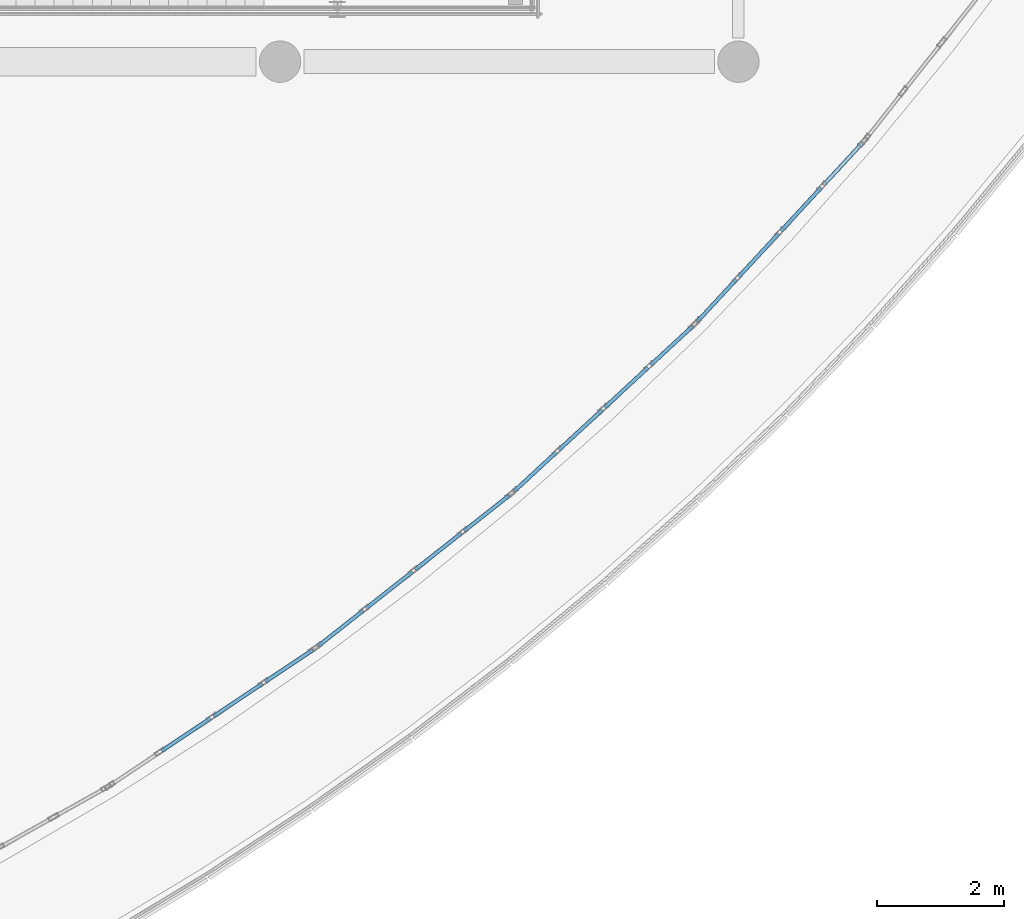
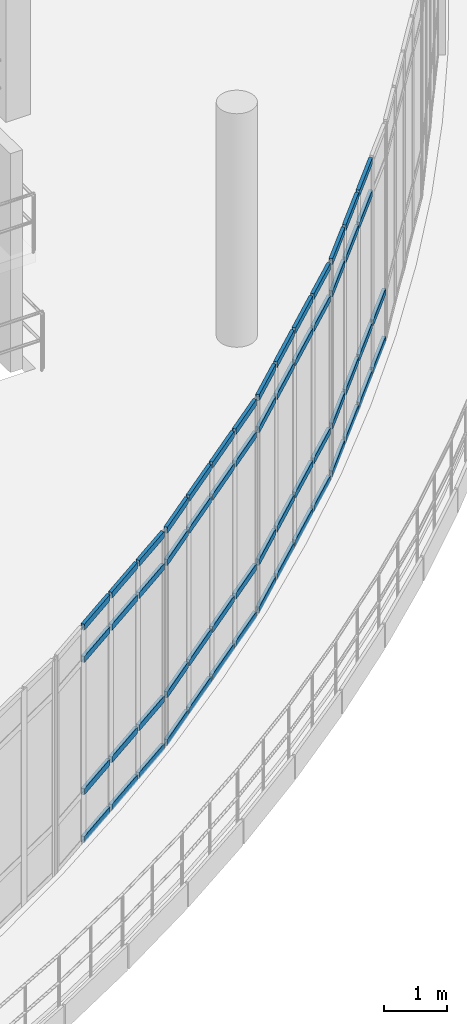
# One storey, part 89 of 134: 58 members, 4 elements without a shape of their own.
"""IFC4 building model written with IfcOpenShell, lengths in metres."""

import ifcopenshell
import ifcopenshell.guid

model = None  # the IFC model being written
_history = None  # IfcOwnerHistory: only IFC2X3 demands one
_inside = {}  # id of a spatial element -> (the spatial element, [elements in it])
_under = {}  # id of a project, library or spatial element -> (it, [spatial elements below it])
_declared = {}  # id of a project -> (the project, [libraries it declares])
_typed = {}  # id of a type object -> (the type object, [elements of that type])
_made_of = {}  # id of a material, layer set ... -> (it, [elements and type objects made of it])


def new_model(schema):
    """Start an empty IFC model of exactly this schema.

    Asked for "IFC4X3", IfcOpenShell would pick the latest addendum, in which some entities
    have other attributes; the version numbers below select the first issue.
    IFC2X3 requires an IfcOwnerHistory on every rooted entity: one is made here for all.
    """
    global model, _history
    if schema == "IFC4X3":
        model = ifcopenshell.file(schema_version=(4, 3, 0, 0))
    else:
        model = ifcopenshell.file(schema=schema)
    _inside.clear()
    _under.clear()
    _declared.clear()
    _typed.clear()
    _made_of.clear()
    _history = None
    if model.schema == "IFC2X3":
        org = make("IfcOrganization", Name="unknown")
        user = make(
            "IfcPersonAndOrganization",
            ThePerson=make("IfcPerson", FamilyName="unknown"),
            TheOrganization=org,
        )
        app = make(
            "IfcApplication",
            ApplicationDeveloper=org,
            Version="unknown",
            ApplicationFullName="unknown",
            ApplicationIdentifier="unknown",
        )
        _history = make(
            "IfcOwnerHistory",
            OwningUser=user,
            OwningApplication=app,
            ChangeAction="ADDED",
            CreationDate=0,
        )
    return model


def make(cls, **values):
    """One entity of the class cls with the attributes given. An attribute that is None is left unset."""
    return model.create_entity(
        cls, **{name: value for name, value in values.items() if value is not None}
    )


def rooted(cls, **values):
    """An entity with a GlobalId (a new one), such as an element, a storey or a relation."""
    return make(cls, GlobalId=ifcopenshell.guid.new(), OwnerHistory=_history, **values)


def si_unit(unit_type, name, prefix=None):
    """IfcSIUnit, for example si_unit("LENGTHUNIT", "METRE", prefix="MILLI")."""
    return make("IfcSIUnit", UnitType=unit_type, Prefix=prefix, Name=name)


def assignment(units):
    """IfcUnitAssignment: the units of a project."""
    return None if units is None else make("IfcUnitAssignment", Units=units)


def point(xyz):
    """IfcCartesianPoint."""
    return None if xyz is None else make("IfcCartesianPoint", Coordinates=xyz)


def direction(xyz):
    """IfcDirection."""
    return None if xyz is None else make("IfcDirection", DirectionRatios=xyz)


def frame(location, z_axis=None, x_axis=None):
    """IfcAxis2Placement3D, a coordinate frame: its origin and axes. An axis left out is left unset."""
    return make(
        "IfcAxis2Placement3D",
        Location=point(location),
        Axis=direction(z_axis),
        RefDirection=direction(x_axis),
    )


def frame_2d(location, x_axis=None):
    """IfcAxis2Placement2D, a coordinate frame in the plane: its origin and x axis."""
    return make(
        "IfcAxis2Placement2D", Location=point(location), RefDirection=direction(x_axis)
    )


def origin():
    """The frame at (0, 0, 0) with its axes left unset."""
    return frame((0.0, 0.0, 0.0))


def origin_2d():
    """The frame at (0, 0) in the plane with its x axis left unset."""
    return frame_2d((0.0, 0.0))


def place(relative_to, where):
    """IfcLocalPlacement: puts the frame where relative to a parent placement (None: the world)."""
    return make(
        "IfcLocalPlacement", PlacementRelTo=relative_to, RelativePlacement=where
    )


def context(
    kind, dimensions, precision=None, world=None, true_north=None, identifier=None
):
    """IfcGeometricRepresentationContext, for example the 3D "Model" context."""
    return make(
        "IfcGeometricRepresentationContext",
        ContextIdentifier=identifier,
        ContextType=kind,
        CoordinateSpaceDimension=dimensions,
        Precision=precision,
        WorldCoordinateSystem=world,
        TrueNorth=true_north,
    )


def subcontext(parent, identifier, kind, view, scale=None):
    """IfcGeometricRepresentationSubContext, for example "Body" below "Model"."""
    return make(
        "IfcGeometricRepresentationSubContext",
        ContextIdentifier=identifier,
        ContextType=kind,
        ParentContext=parent,
        TargetScale=scale,
        TargetView=view,
    )


def project(units=None, contexts=None):
    """IfcProject with its units and contexts."""
    return rooted(
        "IfcProject",
        Name="project",
        RepresentationContexts=contexts,
        UnitsInContext=assignment(units),
    )


def spatial(cls, under=None, at=None, **own):
    """A site, building, storey or space (cls), placed at a placement, below another one or the project."""
    s = rooted(cls, ObjectPlacement=at, **own)
    if under is not None:
        _under.setdefault(under.id(), (under, []))[1].append(s)
    return s


def profile(cls, at=None, kind="AREA", **sizes):
    """A parametric profile (cls). Its sizes go by their IFC names, for example OverallWidth=200.0."""
    return make(cls, ProfileType=kind, Position=at, **sizes)


def hollow_rectangle(**sizes):
    """IfcRectangleHollowProfileDef."""
    return profile("IfcRectangleHollowProfileDef", **sizes)


def extrude(swept, where, along, depth):
    """IfcExtrudedAreaSolid: the profile swept, set in the frame where, extruded along a direction by depth."""
    return make(
        "IfcExtrudedAreaSolid",
        SweptArea=swept,
        Position=where,
        ExtrudedDirection=direction(along),
        Depth=depth,
    )


def shape(context_of_items, identifier, shape_type, items):
    """IfcShapeRepresentation: the items that make up one representation, for example the "Body"."""
    return make(
        "IfcShapeRepresentation",
        ContextOfItems=context_of_items,
        RepresentationIdentifier=identifier,
        RepresentationType=shape_type,
        Items=items,
    )


def material(Name=None, Category=None):
    """IfcMaterial."""
    return make("IfcMaterial", Name=Name, Category=Category)


def material_profile(
    of_material, cross_section, Name=None, Category=None, Priority=None
):
    """IfcMaterialProfile: a cross section and its material."""
    return make(
        "IfcMaterialProfile",
        Name=Name,
        Material=of_material,
        Profile=cross_section,
        Priority=Priority,
        Category=Category,
    )


def profile_set(profiles, Name=None, composite=None):
    """IfcMaterialProfileSet."""
    return make(
        "IfcMaterialProfileSet",
        Name=Name,
        MaterialProfiles=profiles,
        CompositeProfile=composite,
    )


def made_of(thing, what):
    """Note that an element or type object is made of a material, layer set ...; save() writes the relation."""
    if what is not None:
        _made_of.setdefault(what.id(), (what, []))[1].append(thing)
    return thing


def type_object(cls, material=None, **own):
    """A type object (cls), such as IfcWallType, which elements share."""
    return made_of(rooted(cls, **own), material)


def element(
    cls,
    number,
    at=None,
    inside=None,
    cuts=None,
    type_object=None,
    material=None,
    context=None,
    identifier="Body",
    shape_type=None,
    held_by="IfcProductDefinitionShape",
    body=None,
    shapes=None,
    **own,
):
    """One element of the class cls, such as IfcWall. Its Tag is "e" and its number.

    at: its placement. inside: the storey or other place that contains it. cuts: it is an
    opening in that element (IfcRelVoidsElement). A single representation is given by context,
    identifier, shape_type and body (its items); several are given by shapes. held_by: the class
    of the entity that holds the representations. save() writes the other relations.
    """
    e = rooted(cls, Tag="e%d" % number, ObjectPlacement=at, **own)
    if body is not None:
        shapes = [shape(context, identifier, shape_type, body)]
    if shapes is not None:
        e.Representation = make(held_by, Representations=shapes)
    if inside is not None:
        _inside.setdefault(inside.id(), (inside, []))[1].append(e)
    if cuts is not None:
        rooted(
            "IfcRelVoidsElement", RelatingBuildingElement=cuts, RelatedOpeningElement=e
        )
    if type_object is not None:
        _typed.setdefault(type_object.id(), (type_object, []))[1].append(e)
    return made_of(e, material)


def aggregate(whole, parts):
    """IfcRelAggregates: a whole, such as a stair, and the parts it consists of."""
    return rooted("IfcRelAggregates", RelatingObject=whole, RelatedObjects=parts)


def save(model, path):
    """Write the relations noted so far, then the file.

    IfcRelAggregates (storeys below a building ...), IfcRelContainedInSpatialStructure (elements
    in a storey), IfcRelDefinesByType, IfcRelAssociatesMaterial and IfcRelDeclares: one each for
    every whole, place, type object, material and project.
    """
    for whole, parts in _under.values():
        aggregate(whole, parts)
    for where, things in _inside.values():
        rooted(
            "IfcRelContainedInSpatialStructure",
            RelatedElements=things,
            RelatingStructure=where,
        )
    for kind, things in _typed.values():
        rooted("IfcRelDefinesByType", RelatedObjects=things, RelatingType=kind)
    for what, things in _made_of.values():
        rooted("IfcRelAssociatesMaterial", RelatedObjects=things, RelatingMaterial=what)
    for by, libraries in _declared.values():
        rooted("IfcRelDeclares", RelatingContext=by, RelatedDefinitions=libraries)
    model.write(path)


model = new_model("IFC4")

# Units and contexts
model_context = context("Model", 3, precision=1e-05, world=origin(), true_north=direction((0.0, 1.0)))
body_context = subcontext(model_context, "Body", "Model", "MODEL_VIEW")
ifc_project = project(units=[si_unit("LENGTHUNIT", "METRE"), si_unit("AREAUNIT", "SQUARE_METRE"), si_unit("VOLUMEUNIT", "CUBIC_METRE"), si_unit("PLANEANGLEUNIT", "RADIAN"), si_unit("MASSUNIT", "GRAM", prefix="KILO")], contexts=[model_context])

# Site, building, storey
site_placement = place(None, origin())
site = spatial("IfcSite", under=ifc_project, at=site_placement, CompositionType="ELEMENT")
building_placement = place(site_placement, origin())
building = spatial("IfcBuilding", under=site, at=building_placement, Name="Kalluvel Institute of Natural Sciences", CompositionType="ELEMENT")
storey_placement = place(building_placement, frame((0.0, 0.0, 5.39990234375)))
storey = spatial("IfcBuildingStorey", under=building, at=storey_placement, Name="L01", CompositionType="ELEMENT", Elevation=5.39990234375)

# Curtain wall, members
ifc_material = material(Name="Aluminium AW-6063 T6", Category="aluminium")
curtain_wall_type = type_object("IfcCurtainWallType", Name="CW-ATR-ARC", PredefinedType="USERDEFINED", material=ifc_material)
curtain_wall_1_placement = place(storey_placement, origin())
curtain_wall_1 = element("IfcCurtainWall", 1, at=curtain_wall_1_placement, inside=storey, type_object=curtain_wall_type, Name="L01 Gothic lancet curtain wall CWA-L01-X617-Y602", ObjectType="UNITISED LANCET FACADE", PredefinedType="USERDEFINED")
ifc_material_profile = material_profile(ifc_material, hollow_rectangle(XDim=0.06005859375, YDim=0.1201171875, WallThickness=0.00390625, at=origin_2d()), Name="CWT 60x120")
ifc_profile_set = profile_set([ifc_material_profile], Name="Aluminium AW-6063 T6")
member_type = type_object("IfcMemberType", Name="CWT-60x120", PredefinedType="USERDEFINED", material=ifc_profile_set)
member_1_placement = place(storey_placement, frame((62.5390625, 60.77197265625, 0.030029296875), z_axis=(0.831437761556, 0.555617898073, 0.0), x_axis=(-0.555617898073, 0.831437761556, 0.0)))
member_1 = element("IfcMember", 2, at=member_1_placement, type_object=member_type, Name="CW-05 transom 2.1", ObjectType="TRANSOM", PredefinedType="USERDEFINED", context=body_context, shape_type="SweptSolid", body=[
    extrude(hollow_rectangle(XDim=0.06005859375, YDim=0.1201171875, WallThickness=0.00390625, at=origin_2d()), origin(), (0.0, 0.0, 1.0), 0.920654296875),
])
member_2_placement = place(storey_placement, frame((62.5390625, 60.77197265625, 0.9501953125), z_axis=(0.831437761556, 0.555617898073, 0.0), x_axis=(-0.555617898073, 0.831437761556, 0.0)))
member_2 = element("IfcMember", 3, at=member_2_placement, type_object=member_type, Name="CW-05 transom 2.2", ObjectType="TRANSOM", PredefinedType="USERDEFINED", context=body_context, shape_type="SweptSolid", body=[
    extrude(hollow_rectangle(XDim=0.06005859375, YDim=0.1201171875, WallThickness=0.00390625, at=origin_2d()), origin(), (0.0, 0.0, 1.0), 0.920654296875),
])
member_3_placement = place(storey_placement, frame((62.5390625, 60.77197265625, 3.5), z_axis=(0.831437761556, 0.555617898073, 0.0), x_axis=(-0.555617898073, 0.831437761556, 0.0)))
member_3 = element("IfcMember", 4, at=member_3_placement, type_object=member_type, Name="CW-05 transom 2.3", ObjectType="TRANSOM", PredefinedType="USERDEFINED", context=body_context, shape_type="SweptSolid", body=[
    extrude(hollow_rectangle(XDim=0.06005859375, YDim=0.1201171875, WallThickness=0.00390625, at=origin_2d()), origin(), (0.0, 0.0, 1.0), 0.920654296875),
])
member_4_placement = place(storey_placement, frame((62.5390625, 60.77197265625, 4.1201171875), z_axis=(0.831437761556, 0.555617898073, 0.0), x_axis=(-0.555617898073, 0.831437761556, 0.0)))
member_4 = element("IfcMember", 5, at=member_4_placement, type_object=member_type, Name="CW-05 transom 2.4", ObjectType="TRANSOM", PredefinedType="USERDEFINED", context=body_context, shape_type="SweptSolid", body=[
    extrude(hollow_rectangle(XDim=0.06005859375, YDim=0.1201171875, WallThickness=0.00390625, at=origin_2d()), origin(), (0.0, 0.0, 1.0), 0.920654296875),
])
member_5_placement = place(storey_placement, frame((63.354248046875, 61.316650390625, 0.030029296875), z_axis=(0.831437761556, 0.555617898073, 0.0), x_axis=(-0.555617898073, 0.831437761556, 0.0)))
member_5 = element("IfcMember", 6, at=member_5_placement, type_object=member_type, Name="CW-05 transom 3.1", ObjectType="TRANSOM", PredefinedType="USERDEFINED", context=body_context, shape_type="SweptSolid", body=[
    extrude(hollow_rectangle(XDim=0.06005859375, YDim=0.1201171875, WallThickness=0.00390625, at=origin_2d()), origin(), (0.0, 0.0, 1.0), 0.920654296875),
])
member_6_placement = place(storey_placement, frame((63.354248046875, 61.316650390625, 0.9501953125), z_axis=(0.831437761556, 0.555617898073, 0.0), x_axis=(-0.555617898073, 0.831437761556, 0.0)))
member_6 = element("IfcMember", 7, at=member_6_placement, type_object=member_type, Name="CW-05 transom 3.2", ObjectType="TRANSOM", PredefinedType="USERDEFINED", context=body_context, shape_type="SweptSolid", body=[
    extrude(hollow_rectangle(XDim=0.06005859375, YDim=0.1201171875, WallThickness=0.00390625, at=origin_2d()), origin(), (0.0, 0.0, 1.0), 0.920654296875),
])
member_7_placement = place(storey_placement, frame((63.354248046875, 61.316650390625, 3.5), z_axis=(0.831437761556, 0.555617898073, 0.0), x_axis=(-0.555617898073, 0.831437761556, 0.0)))
member_7 = element("IfcMember", 8, at=member_7_placement, type_object=member_type, Name="CW-05 transom 3.3", ObjectType="TRANSOM", PredefinedType="USERDEFINED", context=body_context, shape_type="SweptSolid", body=[
    extrude(hollow_rectangle(XDim=0.06005859375, YDim=0.1201171875, WallThickness=0.00390625, at=origin_2d()), origin(), (0.0, 0.0, 1.0), 0.920654296875),
])
member_8_placement = place(storey_placement, frame((63.354248046875, 61.316650390625, 4.1201171875), z_axis=(0.831437761556, 0.555617898073, 0.0), x_axis=(-0.555617898073, 0.831437761556, 0.0)))
member_8 = element("IfcMember", 9, at=member_8_placement, type_object=member_type, Name="CW-05 transom 3.4", ObjectType="TRANSOM", PredefinedType="USERDEFINED", context=body_context, shape_type="SweptSolid", body=[
    extrude(hollow_rectangle(XDim=0.06005859375, YDim=0.1201171875, WallThickness=0.00390625, at=origin_2d()), origin(), (0.0, 0.0, 1.0), 0.920654296875),
])
member_9_placement = place(storey_placement, frame((64.169677734375, 61.861572265625, 0.030029296875), z_axis=(0.83145917781, 0.555585849024, 0.0), x_axis=(-0.555585849024, 0.83145917781, 0.0)))
member_9 = element("IfcMember", 10, at=member_9_placement, type_object=member_type, Name="CW-05 transom 4.1", ObjectType="TRANSOM", PredefinedType="USERDEFINED", context=body_context, shape_type="SweptSolid", body=[
    extrude(hollow_rectangle(XDim=0.06005859375, YDim=0.1201171875, WallThickness=0.00390625, at=origin_2d()), origin(), (0.0, 0.0, 1.0), 0.890380859375),
])
member_10_placement = place(storey_placement, frame((64.169677734375, 61.861572265625, 0.9501953125), z_axis=(0.83145917781, 0.555585849024, 0.0), x_axis=(-0.555585849024, 0.83145917781, 0.0)))
member_10 = element("IfcMember", 11, at=member_10_placement, type_object=member_type, Name="CW-05 transom 4.2", ObjectType="TRANSOM", PredefinedType="USERDEFINED", context=body_context, shape_type="SweptSolid", body=[
    extrude(hollow_rectangle(XDim=0.06005859375, YDim=0.1201171875, WallThickness=0.00390625, at=origin_2d()), origin(), (0.0, 0.0, 1.0), 0.890380859375),
])
member_11_placement = place(storey_placement, frame((64.169677734375, 61.861572265625, 3.5), z_axis=(0.83145917781, 0.555585849024, 0.0), x_axis=(-0.555585849024, 0.83145917781, 0.0)))
member_11 = element("IfcMember", 12, at=member_11_placement, type_object=member_type, Name="CW-05 transom 4.3", ObjectType="TRANSOM", PredefinedType="USERDEFINED", context=body_context, shape_type="SweptSolid", body=[
    extrude(hollow_rectangle(XDim=0.06005859375, YDim=0.1201171875, WallThickness=0.00390625, at=origin_2d()), origin(), (0.0, 0.0, 1.0), 0.890380859375),
])
member_12_placement = place(storey_placement, frame((64.169677734375, 61.861572265625, 4.1201171875), z_axis=(0.83145917781, 0.555585849024, 0.0), x_axis=(-0.555585849024, 0.83145917781, 0.0)))
member_12 = element("IfcMember", 13, at=member_12_placement, type_object=member_type, Name="CW-05 transom 4.4", ObjectType="TRANSOM", PredefinedType="USERDEFINED", context=body_context, shape_type="SweptSolid", body=[
    extrude(hollow_rectangle(XDim=0.06005859375, YDim=0.1201171875, WallThickness=0.00390625, at=origin_2d()), origin(), (0.0, 0.0, 1.0), 0.890380859375),
])
aggregate(curtain_wall_1, [member_1, member_2, member_3, member_4, member_5, member_6, member_7, member_8, member_9, member_10, member_11, member_12])

curtain_wall_2_placement = place(storey_placement, origin())
curtain_wall_2 = element("IfcCurtainWall", 14, at=curtain_wall_2_placement, inside=storey, type_object=curtain_wall_type, Name="L01 Gothic lancet curtain wall CWA-L01-X650-Y624", ObjectType="UNITISED LANCET FACADE", PredefinedType="USERDEFINED")
member_13_placement = place(storey_placement, frame((65.007080078125, 62.4267578125, 0.030029296875), z_axis=(0.785289674983, 0.619128521687, 0.0), x_axis=(-0.619128521687, 0.785289674983, 0.0)))
member_13 = element("IfcMember", 15, at=member_13_placement, type_object=member_type, Name="CW-05 transom 1.1", ObjectType="TRANSOM", PredefinedType="USERDEFINED", context=body_context, shape_type="SweptSolid", body=[
    extrude(hollow_rectangle(XDim=0.06005859375, YDim=0.1201171875, WallThickness=0.00390625, at=origin_2d()), origin(), (0.0, 0.0, 1.0), 0.890380859375),
])
member_14_placement = place(storey_placement, frame((65.007080078125, 62.4267578125, 0.9501953125), z_axis=(0.785289674983, 0.619128521687, 0.0), x_axis=(-0.619128521687, 0.785289674983, 0.0)))
member_14 = element("IfcMember", 16, at=member_14_placement, type_object=member_type, Name="CW-05 transom 1.2", ObjectType="TRANSOM", PredefinedType="USERDEFINED", context=body_context, shape_type="SweptSolid", body=[
    extrude(hollow_rectangle(XDim=0.06005859375, YDim=0.1201171875, WallThickness=0.00390625, at=origin_2d()), origin(), (0.0, 0.0, 1.0), 0.890380859375),
])
member_15_placement = place(storey_placement, frame((65.007080078125, 62.4267578125, 3.5), z_axis=(0.785289674983, 0.619128521687, 0.0), x_axis=(-0.619128521687, 0.785289674983, 0.0)))
member_15 = element("IfcMember", 17, at=member_15_placement, type_object=member_type, Name="CW-05 transom 1.3", ObjectType="TRANSOM", PredefinedType="USERDEFINED", context=body_context, shape_type="SweptSolid", body=[
    extrude(hollow_rectangle(XDim=0.06005859375, YDim=0.1201171875, WallThickness=0.00390625, at=origin_2d()), origin(), (0.0, 0.0, 1.0), 0.890380859375),
])
member_16_placement = place(storey_placement, frame((65.007080078125, 62.4267578125, 4.1201171875), z_axis=(0.785289674983, 0.619128521687, 0.0), x_axis=(-0.619128521687, 0.785289674983, 0.0)))
member_16 = element("IfcMember", 18, at=member_16_placement, type_object=member_type, Name="CW-05 transom 1.4", ObjectType="TRANSOM", PredefinedType="USERDEFINED", context=body_context, shape_type="SweptSolid", body=[
    extrude(hollow_rectangle(XDim=0.06005859375, YDim=0.1201171875, WallThickness=0.00390625, at=origin_2d()), origin(), (0.0, 0.0, 1.0), 0.890380859375),
])
member_17_placement = place(storey_placement, frame((65.75341796875, 63.01513671875, 0.030029296875), z_axis=(0.785350996501, 0.619050734831, 0.0), x_axis=(-0.619050734831, 0.785350996501, 0.0)))
member_17 = element("IfcMember", 19, at=member_17_placement, type_object=member_type, Name="CW-05 transom 2.1", ObjectType="TRANSOM", PredefinedType="USERDEFINED", context=body_context, shape_type="SweptSolid", body=[
    extrude(hollow_rectangle(XDim=0.06005859375, YDim=0.1201171875, WallThickness=0.00390625, at=origin_2d()), origin(), (0.0, 0.0, 1.0), 0.92041015625),
])
member_18_placement = place(storey_placement, frame((65.75341796875, 63.01513671875, 0.9501953125), z_axis=(0.785350996501, 0.619050734831, 0.0), x_axis=(-0.619050734831, 0.785350996501, 0.0)))
member_18 = element("IfcMember", 20, at=member_18_placement, type_object=member_type, Name="CW-05 transom 2.2", ObjectType="TRANSOM", PredefinedType="USERDEFINED", context=body_context, shape_type="SweptSolid", body=[
    extrude(hollow_rectangle(XDim=0.06005859375, YDim=0.1201171875, WallThickness=0.00390625, at=origin_2d()), origin(), (0.0, 0.0, 1.0), 0.92041015625),
])
member_19_placement = place(storey_placement, frame((65.75341796875, 63.01513671875, 3.5), z_axis=(0.785350996501, 0.619050734831, 0.0), x_axis=(-0.619050734831, 0.785350996501, 0.0)))
member_19 = element("IfcMember", 21, at=member_19_placement, type_object=member_type, Name="CW-05 transom 2.3", ObjectType="TRANSOM", PredefinedType="USERDEFINED", context=body_context, shape_type="SweptSolid", body=[
    extrude(hollow_rectangle(XDim=0.06005859375, YDim=0.1201171875, WallThickness=0.00390625, at=origin_2d()), origin(), (0.0, 0.0, 1.0), 0.92041015625),
])
member_20_placement = place(storey_placement, frame((65.75341796875, 63.01513671875, 4.1201171875), z_axis=(0.785350996501, 0.619050734831, 0.0), x_axis=(-0.619050734831, 0.785350996501, 0.0)))
member_20 = element("IfcMember", 22, at=member_20_placement, type_object=member_type, Name="CW-05 transom 2.4", ObjectType="TRANSOM", PredefinedType="USERDEFINED", context=body_context, shape_type="SweptSolid", body=[
    extrude(hollow_rectangle(XDim=0.06005859375, YDim=0.1201171875, WallThickness=0.00390625, at=origin_2d()), origin(), (0.0, 0.0, 1.0), 0.92041015625),
])
member_21_placement = place(storey_placement, frame((66.5234375, 63.622314453125, 0.030029296875), z_axis=(0.785350996501, 0.619050734831, 0.0), x_axis=(-0.619050734831, 0.785350996501, 0.0)))
member_21 = element("IfcMember", 23, at=member_21_placement, type_object=member_type, Name="CW-05 transom 3.1", ObjectType="TRANSOM", PredefinedType="USERDEFINED", context=body_context, shape_type="SweptSolid", body=[
    extrude(hollow_rectangle(XDim=0.06005859375, YDim=0.1201171875, WallThickness=0.00390625, at=origin_2d()), origin(), (0.0, 0.0, 1.0), 0.92041015625),
])
member_22_placement = place(storey_placement, frame((66.5234375, 63.622314453125, 0.9501953125), z_axis=(0.785350996501, 0.619050734831, 0.0), x_axis=(-0.619050734831, 0.785350996501, 0.0)))
member_22 = element("IfcMember", 24, at=member_22_placement, type_object=member_type, Name="CW-05 transom 3.2", ObjectType="TRANSOM", PredefinedType="USERDEFINED", context=body_context, shape_type="SweptSolid", body=[
    extrude(hollow_rectangle(XDim=0.06005859375, YDim=0.1201171875, WallThickness=0.00390625, at=origin_2d()), origin(), (0.0, 0.0, 1.0), 0.92041015625),
])
member_23_placement = place(storey_placement, frame((66.5234375, 63.622314453125, 3.5), z_axis=(0.785350996501, 0.619050734831, 0.0), x_axis=(-0.619050734831, 0.785350996501, 0.0)))
member_23 = element("IfcMember", 25, at=member_23_placement, type_object=member_type, Name="CW-05 transom 3.3", ObjectType="TRANSOM", PredefinedType="USERDEFINED", context=body_context, shape_type="SweptSolid", body=[
    extrude(hollow_rectangle(XDim=0.06005859375, YDim=0.1201171875, WallThickness=0.00390625, at=origin_2d()), origin(), (0.0, 0.0, 1.0), 0.92041015625),
])
member_24_placement = place(storey_placement, frame((66.5234375, 63.622314453125, 4.1201171875), z_axis=(0.785350996501, 0.619050734831, 0.0), x_axis=(-0.619050734831, 0.785350996501, 0.0)))
member_24 = element("IfcMember", 26, at=member_24_placement, type_object=member_type, Name="CW-05 transom 3.4", ObjectType="TRANSOM", PredefinedType="USERDEFINED", context=body_context, shape_type="SweptSolid", body=[
    extrude(hollow_rectangle(XDim=0.06005859375, YDim=0.1201171875, WallThickness=0.00390625, at=origin_2d()), origin(), (0.0, 0.0, 1.0), 0.92041015625),
])
member_25_placement = place(storey_placement, frame((67.29345703125, 64.229248046875, 0.030029296875), z_axis=(0.785289674983, 0.619128521687, 0.0), x_axis=(-0.619128521687, 0.785289674983, 0.0)))
member_25 = element("IfcMember", 27, at=member_25_placement, type_object=member_type, Name="CW-05 transom 4.1", ObjectType="TRANSOM", PredefinedType="USERDEFINED", context=body_context, shape_type="SweptSolid", body=[
    extrude(hollow_rectangle(XDim=0.06005859375, YDim=0.1201171875, WallThickness=0.00390625, at=origin_2d()), origin(), (0.0, 0.0, 1.0), 0.890380859375),
])
member_26_placement = place(storey_placement, frame((67.29345703125, 64.229248046875, 0.9501953125), z_axis=(0.785289674983, 0.619128521687, 0.0), x_axis=(-0.619128521687, 0.785289674983, 0.0)))
member_26 = element("IfcMember", 28, at=member_26_placement, type_object=member_type, Name="CW-05 transom 4.2", ObjectType="TRANSOM", PredefinedType="USERDEFINED", context=body_context, shape_type="SweptSolid", body=[
    extrude(hollow_rectangle(XDim=0.06005859375, YDim=0.1201171875, WallThickness=0.00390625, at=origin_2d()), origin(), (0.0, 0.0, 1.0), 0.890380859375),
])
member_27_placement = place(storey_placement, frame((67.29345703125, 64.229248046875, 3.5), z_axis=(0.785289674983, 0.619128521687, 0.0), x_axis=(-0.619128521687, 0.785289674983, 0.0)))
member_27 = element("IfcMember", 29, at=member_27_placement, type_object=member_type, Name="CW-05 transom 4.3", ObjectType="TRANSOM", PredefinedType="USERDEFINED", context=body_context, shape_type="SweptSolid", body=[
    extrude(hollow_rectangle(XDim=0.06005859375, YDim=0.1201171875, WallThickness=0.00390625, at=origin_2d()), origin(), (0.0, 0.0, 1.0), 0.890380859375),
])
member_28_placement = place(storey_placement, frame((67.29345703125, 64.229248046875, 4.1201171875), z_axis=(0.785289674983, 0.619128521687, 0.0), x_axis=(-0.619128521687, 0.785289674983, 0.0)))
member_28 = element("IfcMember", 30, at=member_28_placement, type_object=member_type, Name="CW-05 transom 4.4", ObjectType="TRANSOM", PredefinedType="USERDEFINED", context=body_context, shape_type="SweptSolid", body=[
    extrude(hollow_rectangle(XDim=0.06005859375, YDim=0.1201171875, WallThickness=0.00390625, at=origin_2d()), origin(), (0.0, 0.0, 1.0), 0.890380859375),
])
aggregate(curtain_wall_2, [member_13, member_14, member_15, member_16, member_17, member_18, member_19, member_20, member_21, member_22, member_23, member_24, member_25, member_26, member_27, member_28])

curtain_wall_3_placement = place(storey_placement, origin())
curtain_wall_3 = element("IfcCurtainWall", 31, at=curtain_wall_3_placement, inside=storey, type_object=curtain_wall_type, Name="L01 Gothic lancet curtain wall CWA-L01-X680-Y648", ObjectType="UNITISED LANCET FACADE", PredefinedType="USERDEFINED")
member_29_placement = place(storey_placement, frame((68.083984375, 64.8583984375, 0.030029296875), z_axis=(0.734256596069, 0.678872043266, 0.0), x_axis=(-0.678872043266, 0.734256596069, 0.0)))
member_29 = element("IfcMember", 32, at=member_29_placement, type_object=member_type, Name="CW-05 transom 1.1", ObjectType="TRANSOM", PredefinedType="USERDEFINED", context=body_context, shape_type="SweptSolid", body=[
    extrude(hollow_rectangle(XDim=0.06005859375, YDim=0.1201171875, WallThickness=0.00390625, at=origin_2d()), origin(), (0.0, 0.0, 1.0), 0.890380859375),
])
member_30_placement = place(storey_placement, frame((68.083984375, 64.8583984375, 0.9501953125), z_axis=(0.734256596069, 0.678872043266, 0.0), x_axis=(-0.678872043266, 0.734256596069, 0.0)))
member_30 = element("IfcMember", 33, at=member_30_placement, type_object=member_type, Name="CW-05 transom 1.2", ObjectType="TRANSOM", PredefinedType="USERDEFINED", context=body_context, shape_type="SweptSolid", body=[
    extrude(hollow_rectangle(XDim=0.06005859375, YDim=0.1201171875, WallThickness=0.00390625, at=origin_2d()), origin(), (0.0, 0.0, 1.0), 0.890380859375),
])
member_31_placement = place(storey_placement, frame((68.083984375, 64.8583984375, 3.5), z_axis=(0.734256596069, 0.678872043266, 0.0), x_axis=(-0.678872043266, 0.734256596069, 0.0)))
member_31 = element("IfcMember", 34, at=member_31_placement, type_object=member_type, Name="CW-05 transom 1.3", ObjectType="TRANSOM", PredefinedType="USERDEFINED", context=body_context, shape_type="SweptSolid", body=[
    extrude(hollow_rectangle(XDim=0.06005859375, YDim=0.1201171875, WallThickness=0.00390625, at=origin_2d()), origin(), (0.0, 0.0, 1.0), 0.890380859375),
])
member_32_placement = place(storey_placement, frame((68.083984375, 64.8583984375, 4.1201171875), z_axis=(0.734256596069, 0.678872043266, 0.0), x_axis=(-0.678872043266, 0.734256596069, 0.0)))
member_32 = element("IfcMember", 35, at=member_32_placement, type_object=member_type, Name="CW-05 transom 1.4", ObjectType="TRANSOM", PredefinedType="USERDEFINED", context=body_context, shape_type="SweptSolid", body=[
    extrude(hollow_rectangle(XDim=0.06005859375, YDim=0.1201171875, WallThickness=0.00390625, at=origin_2d()), origin(), (0.0, 0.0, 1.0), 0.890380859375),
])
member_33_placement = place(storey_placement, frame((68.781982421875, 65.503662109375, 0.030029296875), z_axis=(0.734406753271, 0.678709599718, 0.0), x_axis=(-0.678709599718, 0.734406753271, 0.0)))
member_33 = element("IfcMember", 36, at=member_33_placement, type_object=member_type, Name="CW-05 transom 2.1", ObjectType="TRANSOM", PredefinedType="USERDEFINED", context=body_context, shape_type="SweptSolid", body=[
    extrude(hollow_rectangle(XDim=0.06005859375, YDim=0.1201171875, WallThickness=0.00390625, at=origin_2d()), origin(), (0.0, 0.0, 1.0), 0.92041015625),
])
member_34_placement = place(storey_placement, frame((68.781982421875, 65.503662109375, 0.9501953125), z_axis=(0.734406753271, 0.678709599718, 0.0), x_axis=(-0.678709599718, 0.734406753271, 0.0)))
member_34 = element("IfcMember", 37, at=member_34_placement, type_object=member_type, Name="CW-05 transom 2.2", ObjectType="TRANSOM", PredefinedType="USERDEFINED", context=body_context, shape_type="SweptSolid", body=[
    extrude(hollow_rectangle(XDim=0.06005859375, YDim=0.1201171875, WallThickness=0.00390625, at=origin_2d()), origin(), (0.0, 0.0, 1.0), 0.92041015625),
])
member_35_placement = place(storey_placement, frame((68.781982421875, 65.503662109375, 3.5), z_axis=(0.734406753271, 0.678709599718, 0.0), x_axis=(-0.678709599718, 0.734406753271, 0.0)))
member_35 = element("IfcMember", 38, at=member_35_placement, type_object=member_type, Name="CW-05 transom 2.3", ObjectType="TRANSOM", PredefinedType="USERDEFINED", context=body_context, shape_type="SweptSolid", body=[
    extrude(hollow_rectangle(XDim=0.06005859375, YDim=0.1201171875, WallThickness=0.00390625, at=origin_2d()), origin(), (0.0, 0.0, 1.0), 0.92041015625),
])
member_36_placement = place(storey_placement, frame((68.781982421875, 65.503662109375, 4.1201171875), z_axis=(0.734406753271, 0.678709599718, 0.0), x_axis=(-0.678709599718, 0.734406753271, 0.0)))
member_36 = element("IfcMember", 39, at=member_36_placement, type_object=member_type, Name="CW-05 transom 2.4", ObjectType="TRANSOM", PredefinedType="USERDEFINED", context=body_context, shape_type="SweptSolid", body=[
    extrude(hollow_rectangle(XDim=0.06005859375, YDim=0.1201171875, WallThickness=0.00390625, at=origin_2d()), origin(), (0.0, 0.0, 1.0), 0.92041015625),
])
member_37_placement = place(storey_placement, frame((69.501953125, 66.169189453125, 0.030029296875), z_axis=(0.734406753271, 0.678709599718, 0.0), x_axis=(-0.678709599718, 0.734406753271, 0.0)))
member_37 = element("IfcMember", 40, at=member_37_placement, type_object=member_type, Name="CW-05 transom 3.1", ObjectType="TRANSOM", PredefinedType="USERDEFINED", context=body_context, shape_type="SweptSolid", body=[
    extrude(hollow_rectangle(XDim=0.06005859375, YDim=0.1201171875, WallThickness=0.00390625, at=origin_2d()), origin(), (0.0, 0.0, 1.0), 0.92041015625),
])
member_38_placement = place(storey_placement, frame((69.501953125, 66.169189453125, 0.9501953125), z_axis=(0.734406753271, 0.678709599718, 0.0), x_axis=(-0.678709599718, 0.734406753271, 0.0)))
member_38 = element("IfcMember", 41, at=member_38_placement, type_object=member_type, Name="CW-05 transom 3.2", ObjectType="TRANSOM", PredefinedType="USERDEFINED", context=body_context, shape_type="SweptSolid", body=[
    extrude(hollow_rectangle(XDim=0.06005859375, YDim=0.1201171875, WallThickness=0.00390625, at=origin_2d()), origin(), (0.0, 0.0, 1.0), 0.92041015625),
])
member_39_placement = place(storey_placement, frame((69.501953125, 66.169189453125, 3.5), z_axis=(0.734406753271, 0.678709599718, 0.0), x_axis=(-0.678709599718, 0.734406753271, 0.0)))
member_39 = element("IfcMember", 42, at=member_39_placement, type_object=member_type, Name="CW-05 transom 3.3", ObjectType="TRANSOM", PredefinedType="USERDEFINED", context=body_context, shape_type="SweptSolid", body=[
    extrude(hollow_rectangle(XDim=0.06005859375, YDim=0.1201171875, WallThickness=0.00390625, at=origin_2d()), origin(), (0.0, 0.0, 1.0), 0.92041015625),
])
member_40_placement = place(storey_placement, frame((69.501953125, 66.169189453125, 4.1201171875), z_axis=(0.734406753271, 0.678709599718, 0.0), x_axis=(-0.678709599718, 0.734406753271, 0.0)))
member_40 = element("IfcMember", 43, at=member_40_placement, type_object=member_type, Name="CW-05 transom 3.4", ObjectType="TRANSOM", PredefinedType="USERDEFINED", context=body_context, shape_type="SweptSolid", body=[
    extrude(hollow_rectangle(XDim=0.06005859375, YDim=0.1201171875, WallThickness=0.00390625, at=origin_2d()), origin(), (0.0, 0.0, 1.0), 0.92041015625),
])
member_41_placement = place(storey_placement, frame((70.221923828125, 66.834716796875, 0.030029296875), z_axis=(0.734382918942, 0.678735389063, 0.0), x_axis=(-0.678735389063, 0.734382918942, 0.0)))
member_41 = element("IfcMember", 44, at=member_41_placement, type_object=member_type, Name="CW-05 transom 4.1", ObjectType="TRANSOM", PredefinedType="USERDEFINED", context=body_context, shape_type="SweptSolid", body=[
    extrude(hollow_rectangle(XDim=0.06005859375, YDim=0.1201171875, WallThickness=0.00390625, at=origin_2d()), origin(), (0.0, 0.0, 1.0), 0.890625),
])
member_42_placement = place(storey_placement, frame((70.221923828125, 66.834716796875, 0.9501953125), z_axis=(0.734382918942, 0.678735389063, 0.0), x_axis=(-0.678735389063, 0.734382918942, 0.0)))
member_42 = element("IfcMember", 45, at=member_42_placement, type_object=member_type, Name="CW-05 transom 4.2", ObjectType="TRANSOM", PredefinedType="USERDEFINED", context=body_context, shape_type="SweptSolid", body=[
    extrude(hollow_rectangle(XDim=0.06005859375, YDim=0.1201171875, WallThickness=0.00390625, at=origin_2d()), origin(), (0.0, 0.0, 1.0), 0.890625),
])
member_43_placement = place(storey_placement, frame((70.221923828125, 66.834716796875, 3.5), z_axis=(0.734382918942, 0.678735389063, 0.0), x_axis=(-0.678735389063, 0.734382918942, 0.0)))
member_43 = element("IfcMember", 46, at=member_43_placement, type_object=member_type, Name="CW-05 transom 4.3", ObjectType="TRANSOM", PredefinedType="USERDEFINED", context=body_context, shape_type="SweptSolid", body=[
    extrude(hollow_rectangle(XDim=0.06005859375, YDim=0.1201171875, WallThickness=0.00390625, at=origin_2d()), origin(), (0.0, 0.0, 1.0), 0.890625),
])
member_44_placement = place(storey_placement, frame((70.221923828125, 66.834716796875, 4.1201171875), z_axis=(0.734382918942, 0.678735389063, 0.0), x_axis=(-0.678735389063, 0.734382918942, 0.0)))
member_44 = element("IfcMember", 47, at=member_44_placement, type_object=member_type, Name="CW-05 transom 4.4", ObjectType="TRANSOM", PredefinedType="USERDEFINED", context=body_context, shape_type="SweptSolid", body=[
    extrude(hollow_rectangle(XDim=0.06005859375, YDim=0.1201171875, WallThickness=0.00390625, at=origin_2d()), origin(), (0.0, 0.0, 1.0), 0.890625),
])
aggregate(curtain_wall_3, [member_29, member_30, member_31, member_32, member_33, member_34, member_35, member_36, member_37, member_38, member_39, member_40, member_41, member_42, member_43, member_44])

curtain_wall_4_placement = place(storey_placement, origin())
curtain_wall_4 = element("IfcCurtainWall", 48, at=curtain_wall_4_placement, inside=storey, type_object=curtain_wall_type, Name="L01 Gothic lancet curtain wall CWA-L01-X709-Y675", ObjectType="UNITISED LANCET FACADE", PredefinedType="USERDEFINED")
member_45_placement = place(storey_placement, frame((70.960693359375, 67.524169921875, 0.030029296875), z_axis=(0.678872043266, 0.734256596069, 0.0), x_axis=(-0.734256596069, 0.678872043266, 0.0)))
member_45 = element("IfcMember", 49, at=member_45_placement, type_object=member_type, Name="CW-05 transom 1.1", ObjectType="TRANSOM", PredefinedType="USERDEFINED", context=body_context, shape_type="SweptSolid", body=[
    extrude(hollow_rectangle(XDim=0.06005859375, YDim=0.1201171875, WallThickness=0.00390625, at=origin_2d()), origin(), (0.0, 0.0, 1.0), 0.890380859375),
])
member_46_placement = place(storey_placement, frame((70.960693359375, 67.524169921875, 0.9501953125), z_axis=(0.678872043266, 0.734256596069, 0.0), x_axis=(-0.734256596069, 0.678872043266, 0.0)))
member_46 = element("IfcMember", 50, at=member_46_placement, type_object=member_type, Name="CW-05 transom 1.2", ObjectType="TRANSOM", PredefinedType="USERDEFINED", context=body_context, shape_type="SweptSolid", body=[
    extrude(hollow_rectangle(XDim=0.06005859375, YDim=0.1201171875, WallThickness=0.00390625, at=origin_2d()), origin(), (0.0, 0.0, 1.0), 0.890380859375),
])
member_47_placement = place(storey_placement, frame((70.960693359375, 67.524169921875, 3.5), z_axis=(0.678872043266, 0.734256596069, 0.0), x_axis=(-0.734256596069, 0.678872043266, 0.0)))
member_47 = element("IfcMember", 51, at=member_47_placement, type_object=member_type, Name="CW-05 transom 1.3", ObjectType="TRANSOM", PredefinedType="USERDEFINED", context=body_context, shape_type="SweptSolid", body=[
    extrude(hollow_rectangle(XDim=0.06005859375, YDim=0.1201171875, WallThickness=0.00390625, at=origin_2d()), origin(), (0.0, 0.0, 1.0), 0.890380859375),
])
member_48_placement = place(storey_placement, frame((70.960693359375, 67.524169921875, 4.1201171875), z_axis=(0.678872043266, 0.734256596069, 0.0), x_axis=(-0.734256596069, 0.678872043266, 0.0)))
member_48 = element("IfcMember", 52, at=member_48_placement, type_object=member_type, Name="CW-05 transom 1.4", ObjectType="TRANSOM", PredefinedType="USERDEFINED", context=body_context, shape_type="SweptSolid", body=[
    extrude(hollow_rectangle(XDim=0.06005859375, YDim=0.1201171875, WallThickness=0.00390625, at=origin_2d()), origin(), (0.0, 0.0, 1.0), 0.890380859375),
])
member_49_placement = place(storey_placement, frame((71.60595703125, 68.22216796875, 0.030029296875), z_axis=(0.678841815355, 0.734284542752, 0.0), x_axis=(-0.734284542752, 0.678841815355, 0.0)))
member_49 = element("IfcMember", 53, at=member_49_placement, type_object=member_type, Name="CW-05 transom 2.1", ObjectType="TRANSOM", PredefinedType="USERDEFINED", context=body_context, shape_type="SweptSolid", body=[
    extrude(hollow_rectangle(XDim=0.06005859375, YDim=0.1201171875, WallThickness=0.00390625, at=origin_2d()), origin(), (0.0, 0.0, 1.0), 0.92041015625),
])
member_50_placement = place(storey_placement, frame((71.60595703125, 68.22216796875, 0.9501953125), z_axis=(0.678841815355, 0.734284542752, 0.0), x_axis=(-0.734284542752, 0.678841815355, 0.0)))
member_50 = element("IfcMember", 54, at=member_50_placement, type_object=member_type, Name="CW-05 transom 2.2", ObjectType="TRANSOM", PredefinedType="USERDEFINED", context=body_context, shape_type="SweptSolid", body=[
    extrude(hollow_rectangle(XDim=0.06005859375, YDim=0.1201171875, WallThickness=0.00390625, at=origin_2d()), origin(), (0.0, 0.0, 1.0), 0.92041015625),
])
member_51_placement = place(storey_placement, frame((71.60595703125, 68.22216796875, 3.5), z_axis=(0.678841815355, 0.734284542752, 0.0), x_axis=(-0.734284542752, 0.678841815355, 0.0)))
member_51 = element("IfcMember", 55, at=member_51_placement, type_object=member_type, Name="CW-05 transom 2.3", ObjectType="TRANSOM", PredefinedType="USERDEFINED", context=body_context, shape_type="SweptSolid", body=[
    extrude(hollow_rectangle(XDim=0.06005859375, YDim=0.1201171875, WallThickness=0.00390625, at=origin_2d()), origin(), (0.0, 0.0, 1.0), 0.92041015625),
])
member_52_placement = place(storey_placement, frame((71.60595703125, 68.22216796875, 4.1201171875), z_axis=(0.678841815355, 0.734284542752, 0.0), x_axis=(-0.734284542752, 0.678841815355, 0.0)))
member_52 = element("IfcMember", 56, at=member_52_placement, type_object=member_type, Name="CW-05 transom 2.4", ObjectType="TRANSOM", PredefinedType="USERDEFINED", context=body_context, shape_type="SweptSolid", body=[
    extrude(hollow_rectangle(XDim=0.06005859375, YDim=0.1201171875, WallThickness=0.00390625, at=origin_2d()), origin(), (0.0, 0.0, 1.0), 0.92041015625),
])
member_53_placement = place(storey_placement, frame((72.271484375, 68.942138671875, 0.030029296875), z_axis=(0.678709599718, 0.734406753271, 0.0), x_axis=(-0.734406753271, 0.678709599718, 0.0)))
member_53 = element("IfcMember", 57, at=member_53_placement, type_object=member_type, Name="CW-05 transom 3.1", ObjectType="TRANSOM", PredefinedType="USERDEFINED", context=body_context, shape_type="SweptSolid", body=[
    extrude(hollow_rectangle(XDim=0.06005859375, YDim=0.1201171875, WallThickness=0.00390625, at=origin_2d()), origin(), (0.0, 0.0, 1.0), 0.92041015625),
])
member_54_placement = place(storey_placement, frame((72.271484375, 68.942138671875, 0.9501953125), z_axis=(0.678709599718, 0.734406753271, 0.0), x_axis=(-0.734406753271, 0.678709599718, 0.0)))
member_54 = element("IfcMember", 58, at=member_54_placement, type_object=member_type, Name="CW-05 transom 3.2", ObjectType="TRANSOM", PredefinedType="USERDEFINED", context=body_context, shape_type="SweptSolid", body=[
    extrude(hollow_rectangle(XDim=0.06005859375, YDim=0.1201171875, WallThickness=0.00390625, at=origin_2d()), origin(), (0.0, 0.0, 1.0), 0.92041015625),
])
member_55_placement = place(storey_placement, frame((72.271484375, 68.942138671875, 3.5), z_axis=(0.678709599718, 0.734406753271, 0.0), x_axis=(-0.734406753271, 0.678709599718, 0.0)))
member_55 = element("IfcMember", 59, at=member_55_placement, type_object=member_type, Name="CW-05 transom 3.3", ObjectType="TRANSOM", PredefinedType="USERDEFINED", context=body_context, shape_type="SweptSolid", body=[
    extrude(hollow_rectangle(XDim=0.06005859375, YDim=0.1201171875, WallThickness=0.00390625, at=origin_2d()), origin(), (0.0, 0.0, 1.0), 0.92041015625),
])
member_56_placement = place(storey_placement, frame((72.271484375, 68.942138671875, 4.1201171875), z_axis=(0.678709599718, 0.734406753271, 0.0), x_axis=(-0.734406753271, 0.678709599718, 0.0)))
member_56 = element("IfcMember", 60, at=member_56_placement, type_object=member_type, Name="CW-05 transom 3.4", ObjectType="TRANSOM", PredefinedType="USERDEFINED", context=body_context, shape_type="SweptSolid", body=[
    extrude(hollow_rectangle(XDim=0.06005859375, YDim=0.1201171875, WallThickness=0.00390625, at=origin_2d()), origin(), (0.0, 0.0, 1.0), 0.92041015625),
])
member_57_placement = place(storey_placement, frame((72.93701171875, 69.662109375, 0.030029296875), z_axis=(0.678735389063, 0.734382918942, 0.0), x_axis=(-0.734382918942, 0.678735389063, 0.0)))
member_57 = element("IfcMember", 61, at=member_57_placement, type_object=member_type, Name="CW-05 transom 4.1", ObjectType="TRANSOM", PredefinedType="USERDEFINED", context=body_context, shape_type="SweptSolid", body=[
    extrude(hollow_rectangle(XDim=0.06005859375, YDim=0.1201171875, WallThickness=0.00390625, at=origin_2d()), origin(), (0.0, 0.0, 1.0), 0.890625),
])
member_58_placement = place(storey_placement, frame((72.93701171875, 69.662109375, 0.9501953125), z_axis=(0.678735389063, 0.734382918942, 0.0), x_axis=(-0.734382918942, 0.678735389063, 0.0)))
member_58 = element("IfcMember", 62, at=member_58_placement, type_object=member_type, Name="CW-05 transom 4.2", ObjectType="TRANSOM", PredefinedType="USERDEFINED", context=body_context, shape_type="SweptSolid", body=[
    extrude(hollow_rectangle(XDim=0.06005859375, YDim=0.1201171875, WallThickness=0.00390625, at=origin_2d()), origin(), (0.0, 0.0, 1.0), 0.890625),
])
aggregate(curtain_wall_4, [member_45, member_46, member_47, member_48, member_49, member_50, member_51, member_52, member_53, member_54, member_55, member_56, member_57, member_58])

save(model, "model.ifc")
